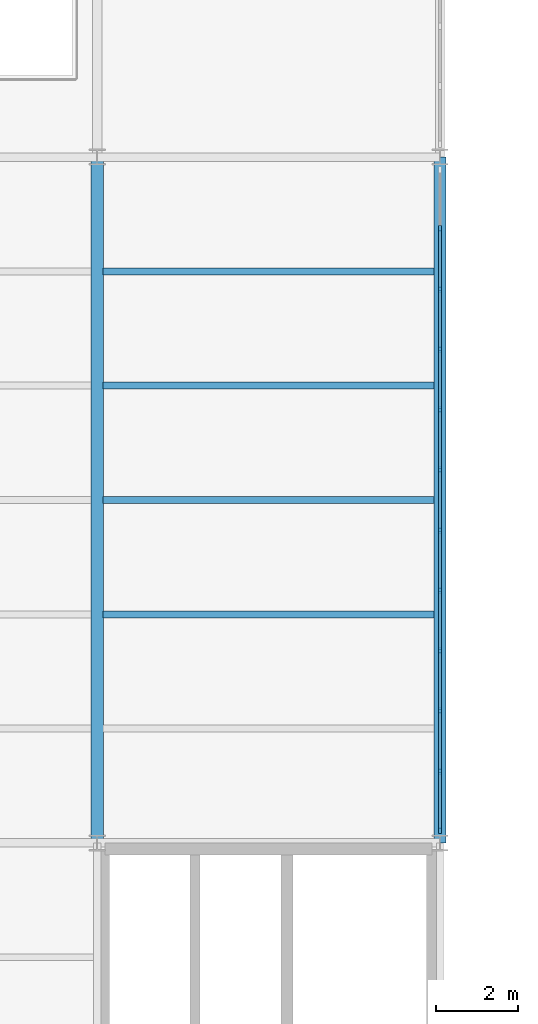
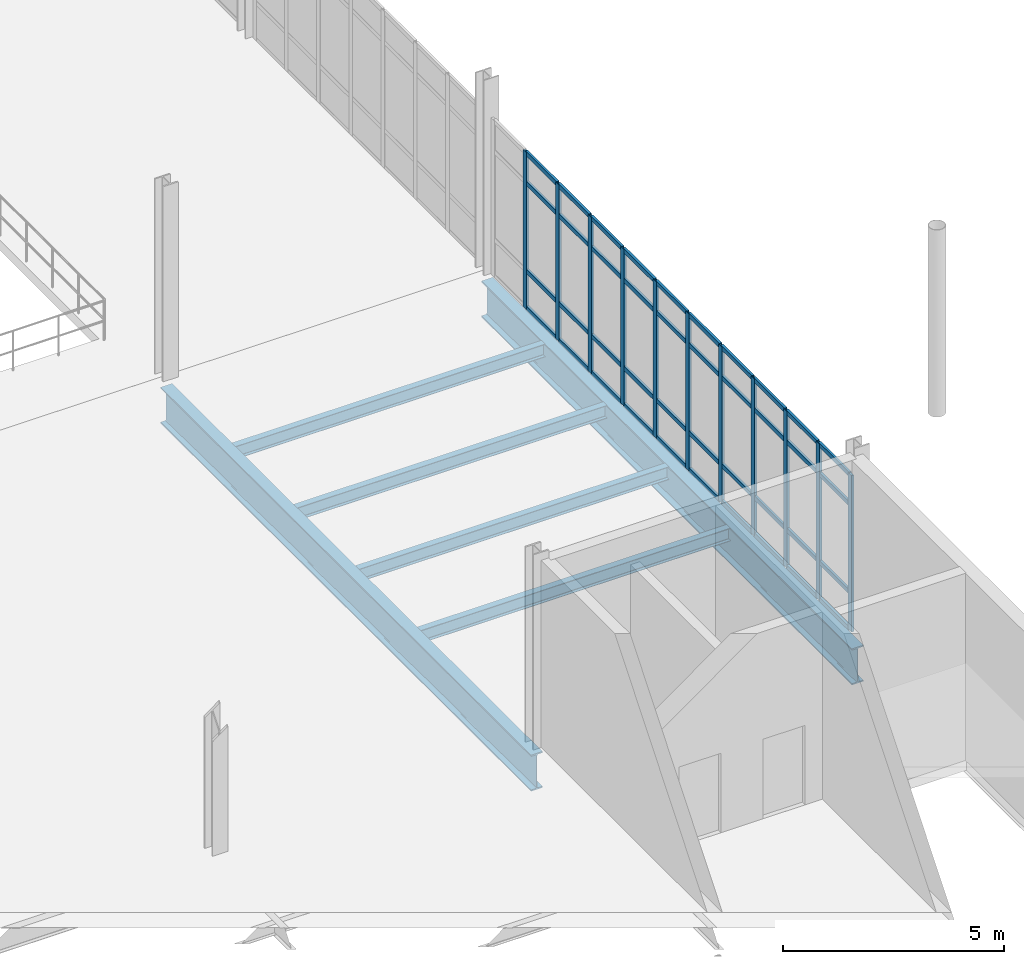
# One storey, part 55 of 111: 51 members, 6 beams, 1 element without a shape of its own.
"""IFC4 building model written with IfcOpenShell, lengths in metres."""

from ifc_helpers import new_model, si_unit, direction, frame, origin, origin_2d, place, context, subcontext, project, spatial, rectangle, i_section, extrude, material, layer, layer_set, material_profile, profile_set, type_object, element, aggregate, save


model = new_model("IFC4")

# Units and contexts
model_context = context("Model", 3, precision=1e-05, world=origin(), true_north=direction((0.0, 1.0)))
body_context = subcontext(model_context, "Body", "Model", "MODEL_VIEW")
ifc_project = project(units=[si_unit("LENGTHUNIT", "METRE"), si_unit("AREAUNIT", "SQUARE_METRE"), si_unit("VOLUMEUNIT", "CUBIC_METRE"), si_unit("PLANEANGLEUNIT", "RADIAN"), si_unit("MASSUNIT", "GRAM", prefix="KILO"), si_unit("THERMODYNAMICTEMPERATUREUNIT", "KELVIN"), si_unit("POWERUNIT", "WATT")], contexts=[model_context])

# Site, building, storey
site_placement = place(None, origin())
site = spatial("IfcSite", under=ifc_project, at=site_placement, CompositionType="ELEMENT")
building_placement = place(site_placement, origin())
building = spatial("IfcBuilding", under=site, at=building_placement, Name="Tembeka Court Mobility Hub", CompositionType="ELEMENT")
storey_placement = place(building_placement, origin())
storey = spatial("IfcBuildingStorey", under=building, at=storey_placement, Name="L00", CompositionType="ELEMENT", Elevation=0.0)

# Beams
ifc_material_1 = material(Name="Steel S355", Category="steel")
ifc_material_profile_1 = material_profile(ifc_material_1, i_section(OverallWidth=0.172119140625, OverallDepth=0.35498046875, WebThickness=0.00732421875, FlangeThickness=0.011474609375, FilletRadius=0.01025390625, at=origin_2d()), Name="UKB 356x171x51")
ifc_profile_set_1 = profile_set([ifc_material_profile_1], Name="Steel S355")
beam_type_1 = type_object("IfcBeamType", Name="BM-J01", PredefinedType="JOIST", material=ifc_profile_set_1)
for number, where, z_axis, x_axis, name in (
    (1, (84.14501953125, 86.0, -0.45751953125), (1.0, 0.0, 0.0), (0.0, 1.0, 0.0), "Beam J01 (JST-L00-0518)"),
    (2, (84.14501953125, 88.800048828125, -0.45751953125), (1.0, 0.0, 0.0), (0.0, 1.0, 0.0), "Beam J01 (JST-L00-0519)"),
    (3, (84.14501953125, 91.60009765625, -0.45751953125), (1.0, 0.0, 0.0), (0.0, 1.0, 0.0), "Beam J01 (JST-L00-0520)"),
    (4, (84.14501953125, 94.39990234375, -0.45751953125), (1.0, 0.0, 0.0), (0.0, 1.0, 0.0), "Beam J01 (JST-L00-0521)"),
):
    element("IfcBeam", number, at=place(storey_placement, frame(where, z_axis=z_axis, x_axis=x_axis)), inside=storey, type_object=beam_type_1, Name=name, PredefinedType="JOIST", context=body_context, shape_type="SweptSolid", body=[
        extrude(i_section(OverallWidth=0.172119140625, OverallDepth=0.35498046875, WebThickness=0.00732421875, FlangeThickness=0.011474609375, FilletRadius=0.01025390625, at=origin_2d()), origin(), (0.0, 0.0, 1.0), 8.10986328125),
    ])
ifc_material_profile_2 = material_profile(ifc_material_1, i_section(OverallWidth=0.300048828125, OverallDepth=1.0, WebThickness=0.01904296875, FlangeThickness=0.035888671875, FilletRadius=0.030029296875, at=origin_2d()), Name="HEB 1000")
ifc_profile_set_2 = profile_set([ifc_material_profile_2], Name="Steel S355")
beam_type_2 = type_object("IfcBeamType", Name="BM-TG01", PredefinedType="USERDEFINED", material=ifc_profile_set_2)
for number, where, z_axis, x_axis, name in (
    (5, (84.0, 80.39990234375, -0.780029296875), (0.0, 1.0, 0.0), (-1.0, 0.0, 0.0), "Beam TG01 (BM-L00-Y0255)"),
    (6, (92.39990234375, 80.39990234375, -0.780029296875), (0.0, 1.0, 0.0), (-1.0, 0.0, 0.0), "Beam TG01 (BM-L00-Y0266)"),
):
    element("IfcBeam", number, at=place(storey_placement, frame(where, z_axis=z_axis, x_axis=x_axis)), inside=storey, type_object=beam_type_2, Name=name, ObjectType="GIRDER", PredefinedType="USERDEFINED", context=body_context, shape_type="SweptSolid", body=[
        extrude(i_section(OverallWidth=0.300048828125, OverallDepth=1.0, WebThickness=0.01904296875, FlangeThickness=0.035888671875, FilletRadius=0.030029296875, at=origin_2d()), origin(), (0.0, 0.0, 1.0), 16.800048828125),
    ])

# Curtain wall, members
ifc_material_2 = material(Name="Anodised aluminium 6063-T6", Category="aluminium")
ifc_layer = layer(ifc_material_2, 0.159912109375)
ifc_layer_set = layer_set([ifc_layer], Name="Anodised aluminium 6063-T6")
curtain_wall_type = type_object("IfcCurtainWallType", Name="CW-SYS19", PredefinedType="USERDEFINED", material=ifc_layer_set)
curtain_wall_placement = place(storey_placement, origin())
curtain_wall = element("IfcCurtainWall", 7, at=curtain_wall_placement, inside=storey, type_object=curtain_wall_type, Name="Unitised curtain wall CW19 (CW-L00-030)", ObjectType="UNITISED GLAZING", PredefinedType="USERDEFINED")
ifc_material_profile_3 = material_profile(ifc_material_2, rectangle(XDim=0.06494140625, YDim=0.159912109375, at=origin_2d()), Name="ALU-MUL 65x160")
ifc_profile_set_3 = profile_set([ifc_material_profile_3], Name="Anodised aluminium 6063-T6")
member_type_1 = type_object("IfcMemberType", Name="CW-MUL01", PredefinedType="MULLION", material=ifc_profile_set_3)
member_1_placement = place(storey_placement, frame((92.39990234375, 80.71240234375, 0.0), z_axis=(0.0, 0.0, 1.0), x_axis=(-1.0, 0.0, 0.0)))
member_1 = element("IfcMember", 8, at=member_1_placement, type_object=member_type_1, Name="CW19 mullion 1", PredefinedType="MULLION", context=body_context, shape_type="SweptSolid", body=[
    extrude(rectangle(XDim=0.06494140625, YDim=0.159912109375, at=origin_2d()), origin(), (0.0, 0.0, 1.0), 4.3349609375),
])
member_2_placement = place(storey_placement, frame((92.39990234375, 82.15625, 0.0), z_axis=(0.0, 0.0, 1.0), x_axis=(-1.0, 0.0, 0.0)))
member_2 = element("IfcMember", 9, at=member_2_placement, type_object=member_type_1, Name="CW19 mullion 2", PredefinedType="MULLION", context=body_context, shape_type="SweptSolid", body=[
    extrude(rectangle(XDim=0.06494140625, YDim=0.159912109375, at=origin_2d()), origin(), (0.0, 0.0, 1.0), 4.3349609375),
])
member_3_placement = place(storey_placement, frame((92.39990234375, 83.6328125, 0.0), z_axis=(0.0, 0.0, 1.0), x_axis=(-1.0, 0.0, 0.0)))
member_3 = element("IfcMember", 10, at=member_3_placement, type_object=member_type_1, Name="CW19 mullion 3", PredefinedType="MULLION", context=body_context, shape_type="SweptSolid", body=[
    extrude(rectangle(XDim=0.06494140625, YDim=0.159912109375, at=origin_2d()), origin(), (0.0, 0.0, 1.0), 4.3349609375),
])
member_4_placement = place(storey_placement, frame((92.39990234375, 85.109130859375, 0.0), z_axis=(0.0, 0.0, 1.0), x_axis=(-1.0, 0.0, 0.0)))
member_4 = element("IfcMember", 11, at=member_4_placement, type_object=member_type_1, Name="CW19 mullion 4", PredefinedType="MULLION", context=body_context, shape_type="SweptSolid", body=[
    extrude(rectangle(XDim=0.06494140625, YDim=0.159912109375, at=origin_2d()), origin(), (0.0, 0.0, 1.0), 4.3349609375),
])
member_5_placement = place(storey_placement, frame((92.39990234375, 86.58544921875, 0.0), z_axis=(0.0, 0.0, 1.0), x_axis=(-1.0, 0.0, 0.0)))
member_5 = element("IfcMember", 12, at=member_5_placement, type_object=member_type_1, Name="CW19 mullion 5", PredefinedType="MULLION", context=body_context, shape_type="SweptSolid", body=[
    extrude(rectangle(XDim=0.06494140625, YDim=0.159912109375, at=origin_2d()), origin(), (0.0, 0.0, 1.0), 4.3349609375),
])
member_6_placement = place(storey_placement, frame((92.39990234375, 88.061767578125, 0.0), z_axis=(0.0, 0.0, 1.0), x_axis=(-1.0, 0.0, 0.0)))
member_6 = element("IfcMember", 13, at=member_6_placement, type_object=member_type_1, Name="CW19 mullion 6", PredefinedType="MULLION", context=body_context, shape_type="SweptSolid", body=[
    extrude(rectangle(XDim=0.06494140625, YDim=0.159912109375, at=origin_2d()), origin(), (0.0, 0.0, 1.0), 4.3349609375),
])
member_7_placement = place(storey_placement, frame((92.39990234375, 89.5380859375, 0.0), z_axis=(0.0, 0.0, 1.0), x_axis=(-1.0, 0.0, 0.0)))
member_7 = element("IfcMember", 14, at=member_7_placement, type_object=member_type_1, Name="CW19 mullion 7", PredefinedType="MULLION", context=body_context, shape_type="SweptSolid", body=[
    extrude(rectangle(XDim=0.06494140625, YDim=0.159912109375, at=origin_2d()), origin(), (0.0, 0.0, 1.0), 4.3349609375),
])
member_8_placement = place(storey_placement, frame((92.39990234375, 91.0146484375, 0.0), z_axis=(0.0, 0.0, 1.0), x_axis=(-1.0, 0.0, 0.0)))
member_8 = element("IfcMember", 15, at=member_8_placement, type_object=member_type_1, Name="CW19 mullion 8", PredefinedType="MULLION", context=body_context, shape_type="SweptSolid", body=[
    extrude(rectangle(XDim=0.06494140625, YDim=0.159912109375, at=origin_2d()), origin(), (0.0, 0.0, 1.0), 4.3349609375),
])
member_9_placement = place(storey_placement, frame((92.39990234375, 92.490966796875, 0.0), z_axis=(0.0, 0.0, 1.0), x_axis=(-1.0, 0.0, 0.0)))
member_9 = element("IfcMember", 16, at=member_9_placement, type_object=member_type_1, Name="CW19 mullion 9", PredefinedType="MULLION", context=body_context, shape_type="SweptSolid", body=[
    extrude(rectangle(XDim=0.06494140625, YDim=0.159912109375, at=origin_2d()), origin(), (0.0, 0.0, 1.0), 4.3349609375),
])
member_10_placement = place(storey_placement, frame((92.39990234375, 93.96728515625, 0.0), z_axis=(0.0, 0.0, 1.0), x_axis=(-1.0, 0.0, 0.0)))
member_10 = element("IfcMember", 17, at=member_10_placement, type_object=member_type_1, Name="CW19 mullion 10", PredefinedType="MULLION", context=body_context, shape_type="SweptSolid", body=[
    extrude(rectangle(XDim=0.06494140625, YDim=0.159912109375, at=origin_2d()), origin(), (0.0, 0.0, 1.0), 4.3349609375),
])
member_11_placement = place(storey_placement, frame((92.39990234375, 95.443603515625, 0.0), z_axis=(0.0, 0.0, 1.0), x_axis=(-1.0, 0.0, 0.0)))
member_11 = element("IfcMember", 18, at=member_11_placement, type_object=member_type_1, Name="CW19 mullion 11", PredefinedType="MULLION", context=body_context, shape_type="SweptSolid", body=[
    extrude(rectangle(XDim=0.06494140625, YDim=0.159912109375, at=origin_2d()), origin(), (0.0, 0.0, 1.0), 4.3349609375),
])
ifc_material_profile_4 = material_profile(ifc_material_2, rectangle(XDim=0.06494140625, YDim=0.1201171875, at=origin_2d()), Name="ALU-TRN 65x120")
ifc_profile_set_4 = profile_set([ifc_material_profile_4], Name="Anodised aluminium 6063-T6")
member_type_2 = type_object("IfcMemberType", Name="CW-TRN01", PredefinedType="USERDEFINED", material=ifc_profile_set_4)
member_12_placement = place(storey_placement, frame((92.39990234375, 80.7451171875, 0.032470703125), z_axis=(0.0, 1.0, 0.0), x_axis=(-1.0, 0.0, 0.0)))
member_12 = element("IfcMember", 19, at=member_12_placement, type_object=member_type_2, Name="CW19 transom 1.1", ObjectType="TRANSOM", PredefinedType="USERDEFINED", context=body_context, shape_type="SweptSolid", body=[
    extrude(rectangle(XDim=0.06494140625, YDim=0.1201171875, at=origin_2d()), origin(), (0.0, 0.0, 1.0), 1.378662109375),
])
member_13_placement = place(storey_placement, frame((92.39990234375, 80.7451171875, 1.050048828125), z_axis=(0.0, 1.0, 0.0), x_axis=(-1.0, 0.0, 0.0)))
member_13 = element("IfcMember", 20, at=member_13_placement, type_object=member_type_2, Name="CW19 transom 1.2", ObjectType="TRANSOM", PredefinedType="USERDEFINED", context=body_context, shape_type="SweptSolid", body=[
    extrude(rectangle(XDim=0.06494140625, YDim=0.1201171875, at=origin_2d()), origin(), (0.0, 0.0, 1.0), 1.378662109375),
])
member_14_placement = place(storey_placement, frame((92.39990234375, 80.7451171875, 3.485107421875), z_axis=(0.0, 1.0, 0.0), x_axis=(-1.0, 0.0, 0.0)))
member_14 = element("IfcMember", 21, at=member_14_placement, type_object=member_type_2, Name="CW19 transom 1.3", ObjectType="TRANSOM", PredefinedType="USERDEFINED", context=body_context, shape_type="SweptSolid", body=[
    extrude(rectangle(XDim=0.06494140625, YDim=0.1201171875, at=origin_2d()), origin(), (0.0, 0.0, 1.0), 1.378662109375),
])
member_15_placement = place(storey_placement, frame((92.39990234375, 80.7451171875, 4.302490234375), z_axis=(0.0, 1.0, 0.0), x_axis=(-1.0, 0.0, 0.0)))
member_15 = element("IfcMember", 22, at=member_15_placement, type_object=member_type_2, Name="CW19 transom 1.4", ObjectType="TRANSOM", PredefinedType="USERDEFINED", context=body_context, shape_type="SweptSolid", body=[
    extrude(rectangle(XDim=0.06494140625, YDim=0.1201171875, at=origin_2d()), origin(), (0.0, 0.0, 1.0), 1.378662109375),
])
member_16_placement = place(storey_placement, frame((92.39990234375, 82.18896484375, 0.032470703125), z_axis=(0.0, 1.0, 0.0), x_axis=(-1.0, 0.0, 0.0)))
member_16 = element("IfcMember", 23, at=member_16_placement, type_object=member_type_2, Name="CW19 transom 2.1", ObjectType="TRANSOM", PredefinedType="USERDEFINED", context=body_context, shape_type="SweptSolid", body=[
    extrude(rectangle(XDim=0.06494140625, YDim=0.1201171875, at=origin_2d()), origin(), (0.0, 0.0, 1.0), 1.411376953125),
])
member_17_placement = place(storey_placement, frame((92.39990234375, 82.18896484375, 1.050048828125), z_axis=(0.0, 1.0, 0.0), x_axis=(-1.0, 0.0, 0.0)))
member_17 = element("IfcMember", 24, at=member_17_placement, type_object=member_type_2, Name="CW19 transom 2.2", ObjectType="TRANSOM", PredefinedType="USERDEFINED", context=body_context, shape_type="SweptSolid", body=[
    extrude(rectangle(XDim=0.06494140625, YDim=0.1201171875, at=origin_2d()), origin(), (0.0, 0.0, 1.0), 1.411376953125),
])
member_18_placement = place(storey_placement, frame((92.39990234375, 82.18896484375, 3.485107421875), z_axis=(0.0, 1.0, 0.0), x_axis=(-1.0, 0.0, 0.0)))
member_18 = element("IfcMember", 25, at=member_18_placement, type_object=member_type_2, Name="CW19 transom 2.3", ObjectType="TRANSOM", PredefinedType="USERDEFINED", context=body_context, shape_type="SweptSolid", body=[
    extrude(rectangle(XDim=0.06494140625, YDim=0.1201171875, at=origin_2d()), origin(), (0.0, 0.0, 1.0), 1.411376953125),
])
member_19_placement = place(storey_placement, frame((92.39990234375, 82.18896484375, 4.302490234375), z_axis=(0.0, 1.0, 0.0), x_axis=(-1.0, 0.0, 0.0)))
member_19 = element("IfcMember", 26, at=member_19_placement, type_object=member_type_2, Name="CW19 transom 2.4", ObjectType="TRANSOM", PredefinedType="USERDEFINED", context=body_context, shape_type="SweptSolid", body=[
    extrude(rectangle(XDim=0.06494140625, YDim=0.1201171875, at=origin_2d()), origin(), (0.0, 0.0, 1.0), 1.411376953125),
])
member_20_placement = place(storey_placement, frame((92.39990234375, 83.665283203125, 0.032470703125), z_axis=(0.0, 1.0, 0.0), x_axis=(-1.0, 0.0, 0.0)))
member_20 = element("IfcMember", 27, at=member_20_placement, type_object=member_type_2, Name="CW19 transom 3.1", ObjectType="TRANSOM", PredefinedType="USERDEFINED", context=body_context, shape_type="SweptSolid", body=[
    extrude(rectangle(XDim=0.06494140625, YDim=0.1201171875, at=origin_2d()), origin(), (0.0, 0.0, 1.0), 1.411376953125),
])
member_21_placement = place(storey_placement, frame((92.39990234375, 83.665283203125, 1.050048828125), z_axis=(0.0, 1.0, 0.0), x_axis=(-1.0, 0.0, 0.0)))
member_21 = element("IfcMember", 28, at=member_21_placement, type_object=member_type_2, Name="CW19 transom 3.2", ObjectType="TRANSOM", PredefinedType="USERDEFINED", context=body_context, shape_type="SweptSolid", body=[
    extrude(rectangle(XDim=0.06494140625, YDim=0.1201171875, at=origin_2d()), origin(), (0.0, 0.0, 1.0), 1.411376953125),
])
member_22_placement = place(storey_placement, frame((92.39990234375, 83.665283203125, 3.485107421875), z_axis=(0.0, 1.0, 0.0), x_axis=(-1.0, 0.0, 0.0)))
member_22 = element("IfcMember", 29, at=member_22_placement, type_object=member_type_2, Name="CW19 transom 3.3", ObjectType="TRANSOM", PredefinedType="USERDEFINED", context=body_context, shape_type="SweptSolid", body=[
    extrude(rectangle(XDim=0.06494140625, YDim=0.1201171875, at=origin_2d()), origin(), (0.0, 0.0, 1.0), 1.411376953125),
])
member_23_placement = place(storey_placement, frame((92.39990234375, 83.665283203125, 4.302490234375), z_axis=(0.0, 1.0, 0.0), x_axis=(-1.0, 0.0, 0.0)))
member_23 = element("IfcMember", 30, at=member_23_placement, type_object=member_type_2, Name="CW19 transom 3.4", ObjectType="TRANSOM", PredefinedType="USERDEFINED", context=body_context, shape_type="SweptSolid", body=[
    extrude(rectangle(XDim=0.06494140625, YDim=0.1201171875, at=origin_2d()), origin(), (0.0, 0.0, 1.0), 1.411376953125),
])
member_24_placement = place(storey_placement, frame((92.39990234375, 85.1416015625, 0.032470703125), z_axis=(0.0, 1.0, 0.0), x_axis=(-1.0, 0.0, 0.0)))
member_24 = element("IfcMember", 31, at=member_24_placement, type_object=member_type_2, Name="CW19 transom 4.1", ObjectType="TRANSOM", PredefinedType="USERDEFINED", context=body_context, shape_type="SweptSolid", body=[
    extrude(rectangle(XDim=0.06494140625, YDim=0.1201171875, at=origin_2d()), origin(), (0.0, 0.0, 1.0), 1.411376953125),
])
member_25_placement = place(storey_placement, frame((92.39990234375, 85.1416015625, 1.050048828125), z_axis=(0.0, 1.0, 0.0), x_axis=(-1.0, 0.0, 0.0)))
member_25 = element("IfcMember", 32, at=member_25_placement, type_object=member_type_2, Name="CW19 transom 4.2", ObjectType="TRANSOM", PredefinedType="USERDEFINED", context=body_context, shape_type="SweptSolid", body=[
    extrude(rectangle(XDim=0.06494140625, YDim=0.1201171875, at=origin_2d()), origin(), (0.0, 0.0, 1.0), 1.411376953125),
])
member_26_placement = place(storey_placement, frame((92.39990234375, 85.1416015625, 3.485107421875), z_axis=(0.0, 1.0, 0.0), x_axis=(-1.0, 0.0, 0.0)))
member_26 = element("IfcMember", 33, at=member_26_placement, type_object=member_type_2, Name="CW19 transom 4.3", ObjectType="TRANSOM", PredefinedType="USERDEFINED", context=body_context, shape_type="SweptSolid", body=[
    extrude(rectangle(XDim=0.06494140625, YDim=0.1201171875, at=origin_2d()), origin(), (0.0, 0.0, 1.0), 1.411376953125),
])
member_27_placement = place(storey_placement, frame((92.39990234375, 85.1416015625, 4.302490234375), z_axis=(0.0, 1.0, 0.0), x_axis=(-1.0, 0.0, 0.0)))
member_27 = element("IfcMember", 34, at=member_27_placement, type_object=member_type_2, Name="CW19 transom 4.4", ObjectType="TRANSOM", PredefinedType="USERDEFINED", context=body_context, shape_type="SweptSolid", body=[
    extrude(rectangle(XDim=0.06494140625, YDim=0.1201171875, at=origin_2d()), origin(), (0.0, 0.0, 1.0), 1.411376953125),
])
member_28_placement = place(storey_placement, frame((92.39990234375, 86.617919921875, 0.032470703125), z_axis=(0.0, 1.0, 0.0), x_axis=(-1.0, 0.0, 0.0)))
member_28 = element("IfcMember", 35, at=member_28_placement, type_object=member_type_2, Name="CW19 transom 5.1", ObjectType="TRANSOM", PredefinedType="USERDEFINED", context=body_context, shape_type="SweptSolid", body=[
    extrude(rectangle(XDim=0.06494140625, YDim=0.1201171875, at=origin_2d()), origin(), (0.0, 0.0, 1.0), 1.411376953125),
])
member_29_placement = place(storey_placement, frame((92.39990234375, 86.617919921875, 1.050048828125), z_axis=(0.0, 1.0, 0.0), x_axis=(-1.0, 0.0, 0.0)))
member_29 = element("IfcMember", 36, at=member_29_placement, type_object=member_type_2, Name="CW19 transom 5.2", ObjectType="TRANSOM", PredefinedType="USERDEFINED", context=body_context, shape_type="SweptSolid", body=[
    extrude(rectangle(XDim=0.06494140625, YDim=0.1201171875, at=origin_2d()), origin(), (0.0, 0.0, 1.0), 1.411376953125),
])
member_30_placement = place(storey_placement, frame((92.39990234375, 86.617919921875, 3.485107421875), z_axis=(0.0, 1.0, 0.0), x_axis=(-1.0, 0.0, 0.0)))
member_30 = element("IfcMember", 37, at=member_30_placement, type_object=member_type_2, Name="CW19 transom 5.3", ObjectType="TRANSOM", PredefinedType="USERDEFINED", context=body_context, shape_type="SweptSolid", body=[
    extrude(rectangle(XDim=0.06494140625, YDim=0.1201171875, at=origin_2d()), origin(), (0.0, 0.0, 1.0), 1.411376953125),
])
member_31_placement = place(storey_placement, frame((92.39990234375, 86.617919921875, 4.302490234375), z_axis=(0.0, 1.0, 0.0), x_axis=(-1.0, 0.0, 0.0)))
member_31 = element("IfcMember", 38, at=member_31_placement, type_object=member_type_2, Name="CW19 transom 5.4", ObjectType="TRANSOM", PredefinedType="USERDEFINED", context=body_context, shape_type="SweptSolid", body=[
    extrude(rectangle(XDim=0.06494140625, YDim=0.1201171875, at=origin_2d()), origin(), (0.0, 0.0, 1.0), 1.411376953125),
])
member_32_placement = place(storey_placement, frame((92.39990234375, 88.09423828125, 0.032470703125), z_axis=(0.0, 1.0, 0.0), x_axis=(-1.0, 0.0, 0.0)))
member_32 = element("IfcMember", 39, at=member_32_placement, type_object=member_type_2, Name="CW19 transom 6.1", ObjectType="TRANSOM", PredefinedType="USERDEFINED", context=body_context, shape_type="SweptSolid", body=[
    extrude(rectangle(XDim=0.06494140625, YDim=0.1201171875, at=origin_2d()), origin(), (0.0, 0.0, 1.0), 1.411376953125),
])
member_33_placement = place(storey_placement, frame((92.39990234375, 88.09423828125, 1.050048828125), z_axis=(0.0, 1.0, 0.0), x_axis=(-1.0, 0.0, 0.0)))
member_33 = element("IfcMember", 40, at=member_33_placement, type_object=member_type_2, Name="CW19 transom 6.2", ObjectType="TRANSOM", PredefinedType="USERDEFINED", context=body_context, shape_type="SweptSolid", body=[
    extrude(rectangle(XDim=0.06494140625, YDim=0.1201171875, at=origin_2d()), origin(), (0.0, 0.0, 1.0), 1.411376953125),
])
member_34_placement = place(storey_placement, frame((92.39990234375, 88.09423828125, 3.485107421875), z_axis=(0.0, 1.0, 0.0), x_axis=(-1.0, 0.0, 0.0)))
member_34 = element("IfcMember", 41, at=member_34_placement, type_object=member_type_2, Name="CW19 transom 6.3", ObjectType="TRANSOM", PredefinedType="USERDEFINED", context=body_context, shape_type="SweptSolid", body=[
    extrude(rectangle(XDim=0.06494140625, YDim=0.1201171875, at=origin_2d()), origin(), (0.0, 0.0, 1.0), 1.411376953125),
])
member_35_placement = place(storey_placement, frame((92.39990234375, 88.09423828125, 4.302490234375), z_axis=(0.0, 1.0, 0.0), x_axis=(-1.0, 0.0, 0.0)))
member_35 = element("IfcMember", 42, at=member_35_placement, type_object=member_type_2, Name="CW19 transom 6.4", ObjectType="TRANSOM", PredefinedType="USERDEFINED", context=body_context, shape_type="SweptSolid", body=[
    extrude(rectangle(XDim=0.06494140625, YDim=0.1201171875, at=origin_2d()), origin(), (0.0, 0.0, 1.0), 1.411376953125),
])
member_36_placement = place(storey_placement, frame((92.39990234375, 89.57080078125, 0.032470703125), z_axis=(0.0, 1.0, 0.0), x_axis=(-1.0, 0.0, 0.0)))
member_36 = element("IfcMember", 43, at=member_36_placement, type_object=member_type_2, Name="CW19 transom 7.1", ObjectType="TRANSOM", PredefinedType="USERDEFINED", context=body_context, shape_type="SweptSolid", body=[
    extrude(rectangle(XDim=0.06494140625, YDim=0.1201171875, at=origin_2d()), origin(), (0.0, 0.0, 1.0), 1.4111328125),
])
member_37_placement = place(storey_placement, frame((92.39990234375, 89.57080078125, 1.050048828125), z_axis=(0.0, 1.0, 0.0), x_axis=(-1.0, 0.0, 0.0)))
member_37 = element("IfcMember", 44, at=member_37_placement, type_object=member_type_2, Name="CW19 transom 7.2", ObjectType="TRANSOM", PredefinedType="USERDEFINED", context=body_context, shape_type="SweptSolid", body=[
    extrude(rectangle(XDim=0.06494140625, YDim=0.1201171875, at=origin_2d()), origin(), (0.0, 0.0, 1.0), 1.4111328125),
])
member_38_placement = place(storey_placement, frame((92.39990234375, 89.57080078125, 3.485107421875), z_axis=(0.0, 1.0, 0.0), x_axis=(-1.0, 0.0, 0.0)))
member_38 = element("IfcMember", 45, at=member_38_placement, type_object=member_type_2, Name="CW19 transom 7.3", ObjectType="TRANSOM", PredefinedType="USERDEFINED", context=body_context, shape_type="SweptSolid", body=[
    extrude(rectangle(XDim=0.06494140625, YDim=0.1201171875, at=origin_2d()), origin(), (0.0, 0.0, 1.0), 1.4111328125),
])
member_39_placement = place(storey_placement, frame((92.39990234375, 89.57080078125, 4.302490234375), z_axis=(0.0, 1.0, 0.0), x_axis=(-1.0, 0.0, 0.0)))
member_39 = element("IfcMember", 46, at=member_39_placement, type_object=member_type_2, Name="CW19 transom 7.4", ObjectType="TRANSOM", PredefinedType="USERDEFINED", context=body_context, shape_type="SweptSolid", body=[
    extrude(rectangle(XDim=0.06494140625, YDim=0.1201171875, at=origin_2d()), origin(), (0.0, 0.0, 1.0), 1.4111328125),
])
member_40_placement = place(storey_placement, frame((92.39990234375, 91.047119140625, 0.032470703125), z_axis=(0.0, 1.0, 0.0), x_axis=(-1.0, 0.0, 0.0)))
member_40 = element("IfcMember", 47, at=member_40_placement, type_object=member_type_2, Name="CW19 transom 8.1", ObjectType="TRANSOM", PredefinedType="USERDEFINED", context=body_context, shape_type="SweptSolid", body=[
    extrude(rectangle(XDim=0.06494140625, YDim=0.1201171875, at=origin_2d()), origin(), (0.0, 0.0, 1.0), 1.411376953125),
])
member_41_placement = place(storey_placement, frame((92.39990234375, 91.047119140625, 1.050048828125), z_axis=(0.0, 1.0, 0.0), x_axis=(-1.0, 0.0, 0.0)))
member_41 = element("IfcMember", 48, at=member_41_placement, type_object=member_type_2, Name="CW19 transom 8.2", ObjectType="TRANSOM", PredefinedType="USERDEFINED", context=body_context, shape_type="SweptSolid", body=[
    extrude(rectangle(XDim=0.06494140625, YDim=0.1201171875, at=origin_2d()), origin(), (0.0, 0.0, 1.0), 1.411376953125),
])
member_42_placement = place(storey_placement, frame((92.39990234375, 91.047119140625, 3.485107421875), z_axis=(0.0, 1.0, 0.0), x_axis=(-1.0, 0.0, 0.0)))
member_42 = element("IfcMember", 49, at=member_42_placement, type_object=member_type_2, Name="CW19 transom 8.3", ObjectType="TRANSOM", PredefinedType="USERDEFINED", context=body_context, shape_type="SweptSolid", body=[
    extrude(rectangle(XDim=0.06494140625, YDim=0.1201171875, at=origin_2d()), origin(), (0.0, 0.0, 1.0), 1.411376953125),
])
member_43_placement = place(storey_placement, frame((92.39990234375, 91.047119140625, 4.302490234375), z_axis=(0.0, 1.0, 0.0), x_axis=(-1.0, 0.0, 0.0)))
member_43 = element("IfcMember", 50, at=member_43_placement, type_object=member_type_2, Name="CW19 transom 8.4", ObjectType="TRANSOM", PredefinedType="USERDEFINED", context=body_context, shape_type="SweptSolid", body=[
    extrude(rectangle(XDim=0.06494140625, YDim=0.1201171875, at=origin_2d()), origin(), (0.0, 0.0, 1.0), 1.411376953125),
])
member_44_placement = place(storey_placement, frame((92.39990234375, 92.5234375, 0.032470703125), z_axis=(0.0, 1.0, 0.0), x_axis=(-1.0, 0.0, 0.0)))
member_44 = element("IfcMember", 51, at=member_44_placement, type_object=member_type_2, Name="CW19 transom 9.1", ObjectType="TRANSOM", PredefinedType="USERDEFINED", context=body_context, shape_type="SweptSolid", body=[
    extrude(rectangle(XDim=0.06494140625, YDim=0.1201171875, at=origin_2d()), origin(), (0.0, 0.0, 1.0), 1.411376953125),
])
member_45_placement = place(storey_placement, frame((92.39990234375, 92.5234375, 1.050048828125), z_axis=(0.0, 1.0, 0.0), x_axis=(-1.0, 0.0, 0.0)))
member_45 = element("IfcMember", 52, at=member_45_placement, type_object=member_type_2, Name="CW19 transom 9.2", ObjectType="TRANSOM", PredefinedType="USERDEFINED", context=body_context, shape_type="SweptSolid", body=[
    extrude(rectangle(XDim=0.06494140625, YDim=0.1201171875, at=origin_2d()), origin(), (0.0, 0.0, 1.0), 1.411376953125),
])
member_46_placement = place(storey_placement, frame((92.39990234375, 92.5234375, 3.485107421875), z_axis=(0.0, 1.0, 0.0), x_axis=(-1.0, 0.0, 0.0)))
member_46 = element("IfcMember", 53, at=member_46_placement, type_object=member_type_2, Name="CW19 transom 9.3", ObjectType="TRANSOM", PredefinedType="USERDEFINED", context=body_context, shape_type="SweptSolid", body=[
    extrude(rectangle(XDim=0.06494140625, YDim=0.1201171875, at=origin_2d()), origin(), (0.0, 0.0, 1.0), 1.411376953125),
])
member_47_placement = place(storey_placement, frame((92.39990234375, 92.5234375, 4.302490234375), z_axis=(0.0, 1.0, 0.0), x_axis=(-1.0, 0.0, 0.0)))
member_47 = element("IfcMember", 54, at=member_47_placement, type_object=member_type_2, Name="CW19 transom 9.4", ObjectType="TRANSOM", PredefinedType="USERDEFINED", context=body_context, shape_type="SweptSolid", body=[
    extrude(rectangle(XDim=0.06494140625, YDim=0.1201171875, at=origin_2d()), origin(), (0.0, 0.0, 1.0), 1.411376953125),
])
member_48_placement = place(storey_placement, frame((92.39990234375, 93.999755859375, 0.032470703125), z_axis=(0.0, 1.0, 0.0), x_axis=(-1.0, 0.0, 0.0)))
member_48 = element("IfcMember", 55, at=member_48_placement, type_object=member_type_2, Name="CW19 transom 10.1", ObjectType="TRANSOM", PredefinedType="USERDEFINED", context=body_context, shape_type="SweptSolid", body=[
    extrude(rectangle(XDim=0.06494140625, YDim=0.1201171875, at=origin_2d()), origin(), (0.0, 0.0, 1.0), 1.411376953125),
])
member_49_placement = place(storey_placement, frame((92.39990234375, 93.999755859375, 1.050048828125), z_axis=(0.0, 1.0, 0.0), x_axis=(-1.0, 0.0, 0.0)))
member_49 = element("IfcMember", 56, at=member_49_placement, type_object=member_type_2, Name="CW19 transom 10.2", ObjectType="TRANSOM", PredefinedType="USERDEFINED", context=body_context, shape_type="SweptSolid", body=[
    extrude(rectangle(XDim=0.06494140625, YDim=0.1201171875, at=origin_2d()), origin(), (0.0, 0.0, 1.0), 1.411376953125),
])
member_50_placement = place(storey_placement, frame((92.39990234375, 93.999755859375, 3.485107421875), z_axis=(0.0, 1.0, 0.0), x_axis=(-1.0, 0.0, 0.0)))
member_50 = element("IfcMember", 57, at=member_50_placement, type_object=member_type_2, Name="CW19 transom 10.3", ObjectType="TRANSOM", PredefinedType="USERDEFINED", context=body_context, shape_type="SweptSolid", body=[
    extrude(rectangle(XDim=0.06494140625, YDim=0.1201171875, at=origin_2d()), origin(), (0.0, 0.0, 1.0), 1.411376953125),
])
member_51_placement = place(storey_placement, frame((92.39990234375, 93.999755859375, 4.302490234375), z_axis=(0.0, 1.0, 0.0), x_axis=(-1.0, 0.0, 0.0)))
member_51 = element("IfcMember", 58, at=member_51_placement, type_object=member_type_2, Name="CW19 transom 10.4", ObjectType="TRANSOM", PredefinedType="USERDEFINED", context=body_context, shape_type="SweptSolid", body=[
    extrude(rectangle(XDim=0.06494140625, YDim=0.1201171875, at=origin_2d()), origin(), (0.0, 0.0, 1.0), 1.411376953125),
])
aggregate(curtain_wall, [member_1, member_2, member_3, member_4, member_5, member_6, member_7, member_8, member_9, member_10, member_11, member_12, member_13, member_14, member_15, member_16, member_17, member_18, member_19, member_20, member_21, member_22, member_23, member_24, member_25, member_26, member_27, member_28, member_29, member_30, member_31, member_32, member_33, member_34, member_35, member_36, member_37, member_38, member_39, member_40, member_41, member_42, member_43, member_44, member_45, member_46, member_47, member_48, member_49, member_50, member_51])

save(model, "model.ifc")
